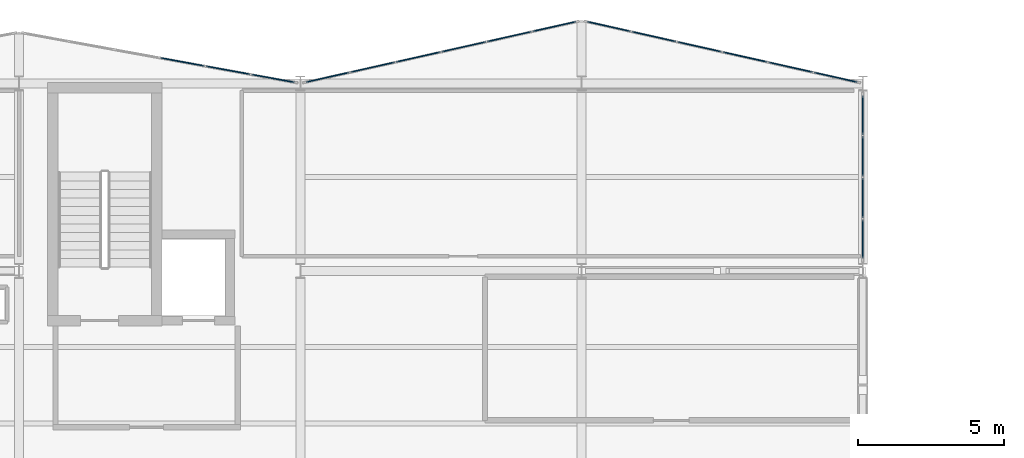
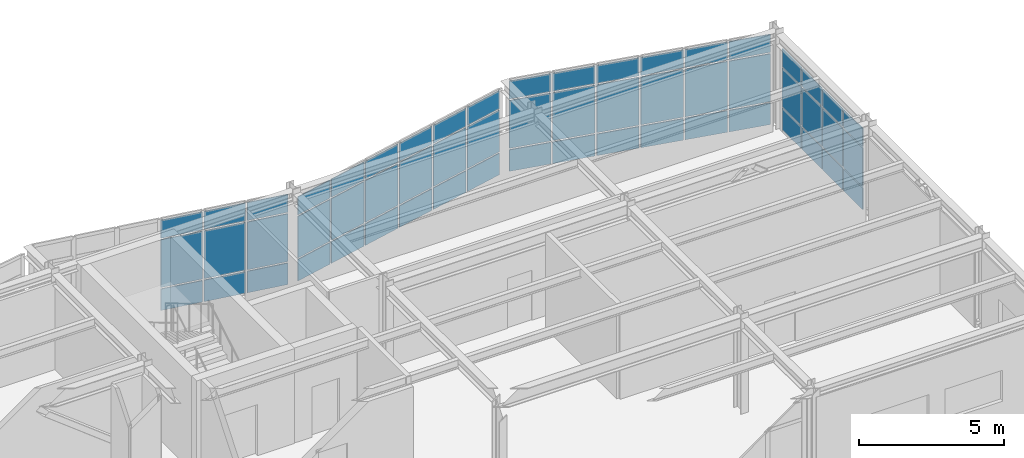
# One storey, part 50 of 64: 57 plates, 4 elements without a shape of their own.
"""IFC4 building model written with IfcOpenShell, lengths in metres."""

from ifc_helpers import new_model, si_unit, direction, frame, origin, origin_2d, place, context, subcontext, project, spatial, rectangle, extrude, material, layer, layer_set, type_object, element, aggregate, save


model = new_model("IFC4")

# Units and contexts
model_context = context("Model", 3, precision=1e-05, world=origin(), true_north=direction((0.0, 1.0)))
body_context = subcontext(model_context, "Body", "Model", "MODEL_VIEW")
ifc_project = project(units=[si_unit("LENGTHUNIT", "METRE"), si_unit("AREAUNIT", "SQUARE_METRE"), si_unit("VOLUMEUNIT", "CUBIC_METRE"), si_unit("PLANEANGLEUNIT", "RADIAN"), si_unit("MASSUNIT", "GRAM", prefix="KILO")], contexts=[model_context])

# Site, building, storey
site_placement = place(None, origin())
site = spatial("IfcSite", under=ifc_project, at=site_placement, CompositionType="ELEMENT")
building_placement = place(site_placement, origin())
building = spatial("IfcBuilding", under=site, at=building_placement, Name="Nordkorset Police Headquarters", CompositionType="ELEMENT")
storey_placement = place(building_placement, frame((0.0, 0.0, 17.85009765625)))
storey = spatial("IfcBuildingStorey", under=building, at=storey_placement, Name="L04", CompositionType="ELEMENT", Elevation=17.85009765625)

# Curtain wall, plates
ifc_material_1 = material(Name="Aluminium alloy AW-6060", Category="aluminium")
ifc_layer_1 = layer(ifc_material_1, 0.179931640625, Name="Aluminium alloy AW-6060")
ifc_layer_set_1 = layer_set([ifc_layer_1], Name="Aluminium alloy AW-6060")
curtain_wall_type_1 = type_object("IfcCurtainWallType", Name="CW_Unit_948x392", PredefinedType="USERDEFINED", material=ifc_layer_set_1)
curtain_wall_1_placement = place(storey_placement, origin())
curtain_wall_1 = element("IfcCurtainWall", 1, at=curtain_wall_1_placement, inside=storey, type_object=curtain_wall_type_1, Name="Unitised Curtain Wall L04 V2N-3", ObjectType="UNITISED CURTAIN WALL", PredefinedType="USERDEFINED")
ifc_material_2 = material(Name="Low-iron triple glazing", Category="glass")
ifc_layer_2 = layer(ifc_material_2, 0.035888671875, Name="Low-iron triple glazing")
ifc_layer_set_2 = layer_set([ifc_layer_2], Name="Low-iron triple glazing")
plate_type = type_object("IfcPlateType", Name="CW_Panel_TripleGlazing_36", PredefinedType="CURTAIN_PANEL", material=ifc_layer_set_2)
plate_1_placement = place(storey_placement, frame((63.177001953125, 117.533447265625, 0.06494140625), z_axis=(0.0, 0.0, 1.0), x_axis=(0.983787934979, -0.179335715876, 0.0)))
plate_1 = element("IfcPlate", 2, at=plate_1_placement, type_object=plate_type, Name="CW-65 panel 4.1", PredefinedType="CURTAIN_PANEL", context=body_context, shape_type="SweptSolid", body=[
    extrude(rectangle(XDim=1.5146484375, YDim=0.035888671875, at=origin_2d()), origin(), (0.0, 0.0, 1.0), 0.902587890625),
])
plate_2_placement = place(storey_placement, frame((63.177001953125, 117.533447265625, 1.032470703125), z_axis=(0.0, 0.0, 1.0), x_axis=(0.983787934979, -0.179335715876, 0.0)))
plate_2 = element("IfcPlate", 3, at=plate_2_placement, type_object=plate_type, Name="CW-65 panel 4.2", PredefinedType="CURTAIN_PANEL", context=body_context, shape_type="SweptSolid", body=[
    extrude(rectangle(XDim=1.5146484375, YDim=0.035888671875, at=origin_2d()), origin(), (0.0, 0.0, 1.0), 2.0048828125),
])
plate_3_placement = place(storey_placement, frame((63.177001953125, 117.533447265625, 3.1025390625), z_axis=(0.0, 0.0, 1.0), x_axis=(0.983787934979, -0.179335715876, 0.0)))
plate_3 = element("IfcPlate", 4, at=plate_3_placement, type_object=plate_type, Name="CW-65 panel 4.3", PredefinedType="CURTAIN_PANEL", context=body_context, shape_type="SweptSolid", body=[
    extrude(rectangle(XDim=1.5146484375, YDim=0.035888671875, at=origin_2d()), origin(), (0.0, 0.0, 1.0), 0.75244140625),
])
plate_4_placement = place(storey_placement, frame((64.731201171875, 117.25, 0.06494140625), z_axis=(0.0, 0.0, 1.0), x_axis=(0.983787934979, -0.179335715876, 0.0)))
plate_4 = element("IfcPlate", 5, at=plate_4_placement, type_object=plate_type, Name="CW-65 panel 5.1", PredefinedType="CURTAIN_PANEL", context=body_context, shape_type="SweptSolid", body=[
    extrude(rectangle(XDim=1.5146484375, YDim=0.035888671875, at=origin_2d()), origin(), (0.0, 0.0, 1.0), 0.902587890625),
])
plate_5_placement = place(storey_placement, frame((64.731201171875, 117.25, 1.032470703125), z_axis=(0.0, 0.0, 1.0), x_axis=(0.983787934979, -0.179335715876, 0.0)))
plate_5 = element("IfcPlate", 6, at=plate_5_placement, type_object=plate_type, Name="CW-65 panel 5.2", PredefinedType="CURTAIN_PANEL", context=body_context, shape_type="SweptSolid", body=[
    extrude(rectangle(XDim=1.5146484375, YDim=0.035888671875, at=origin_2d()), origin(), (0.0, 0.0, 1.0), 2.0048828125),
])
plate_6_placement = place(storey_placement, frame((64.731201171875, 117.25, 3.1025390625), z_axis=(0.0, 0.0, 1.0), x_axis=(0.983787934979, -0.179335715876, 0.0)))
plate_6 = element("IfcPlate", 7, at=plate_6_placement, type_object=plate_type, Name="CW-65 panel 5.3", PredefinedType="CURTAIN_PANEL", context=body_context, shape_type="SweptSolid", body=[
    extrude(rectangle(XDim=1.5146484375, YDim=0.035888671875, at=origin_2d()), origin(), (0.0, 0.0, 1.0), 0.75244140625),
])
plate_7_placement = place(storey_placement, frame((66.269287109375, 116.9697265625, 0.06494140625), z_axis=(0.0, 0.0, 1.0), x_axis=(0.983787934979, -0.179335715876, 0.0)))
plate_7 = element("IfcPlate", 8, at=plate_7_placement, type_object=plate_type, Name="CW-65 panel 6.1", PredefinedType="CURTAIN_PANEL", context=body_context, shape_type="SweptSolid", body=[
    extrude(rectangle(XDim=1.482177734375, YDim=0.035888671875, at=origin_2d()), origin(), (0.0, 0.0, 1.0), 0.902587890625),
])
plate_8_placement = place(storey_placement, frame((66.269287109375, 116.9697265625, 1.032470703125), z_axis=(0.0, 0.0, 1.0), x_axis=(0.983787934979, -0.179335715876, 0.0)))
plate_8 = element("IfcPlate", 9, at=plate_8_placement, type_object=plate_type, Name="CW-65 panel 6.2", PredefinedType="CURTAIN_PANEL", context=body_context, shape_type="SweptSolid", body=[
    extrude(rectangle(XDim=1.482177734375, YDim=0.035888671875, at=origin_2d()), origin(), (0.0, 0.0, 1.0), 2.0048828125),
])
plate_9_placement = place(storey_placement, frame((66.269287109375, 116.9697265625, 3.1025390625), z_axis=(0.0, 0.0, 1.0), x_axis=(0.983787934979, -0.179335715876, 0.0)))
plate_9 = element("IfcPlate", 10, at=plate_9_placement, type_object=plate_type, Name="CW-65 panel 6.3", PredefinedType="CURTAIN_PANEL", context=body_context, shape_type="SweptSolid", body=[
    extrude(rectangle(XDim=1.482177734375, YDim=0.035888671875, at=origin_2d()), origin(), (0.0, 0.0, 1.0), 0.75244140625),
])
aggregate(curtain_wall_1, [plate_1, plate_2, plate_3, plate_4, plate_5, plate_6, plate_7, plate_8, plate_9])

ifc_material_3 = material(Name="Aluminium alloy AW-6060", Category="aluminium")
ifc_layer_3 = layer(ifc_material_3, 0.179931640625, Name="Aluminium alloy AW-6060")
ifc_layer_set_3 = layer_set([ifc_layer_3], Name="Aluminium alloy AW-6060")
curtain_wall_type_2 = type_object("IfcCurtainWallType", Name="CW_Unit_956x366", PredefinedType="USERDEFINED", material=ifc_layer_set_3)
curtain_wall_2_placement = place(storey_placement, origin())
curtain_wall_2 = element("IfcCurtainWall", 11, at=curtain_wall_2_placement, inside=storey, type_object=curtain_wall_type_2, Name="Unitised Curtain Wall L04 V2N-4", ObjectType="UNITISED CURTAIN WALL", PredefinedType="USERDEFINED")
plate_10_placement = place(storey_placement, frame((68.129638671875, 117.00830078125, 0.06494140625), z_axis=(0.0, 0.0, 1.0), x_axis=(0.975827090814, 0.218544020358, 0.0)))
plate_10 = element("IfcPlate", 12, at=plate_10_placement, type_object=plate_type, Name="CW-61 panel 1.1", PredefinedType="CURTAIN_PANEL", context=body_context, shape_type="SweptSolid", body=[
    extrude(rectangle(XDim=1.495361328125, YDim=0.035888671875, at=origin_2d()), origin(), (0.0, 0.0, 1.0), 0.902587890625),
])
plate_11_placement = place(storey_placement, frame((68.129638671875, 117.00830078125, 1.0322265625), z_axis=(0.0, 0.0, 1.0), x_axis=(0.975827090814, 0.218544020358, 0.0)))
plate_11 = element("IfcPlate", 13, at=plate_11_placement, type_object=plate_type, Name="CW-61 panel 1.2", PredefinedType="CURTAIN_PANEL", context=body_context, shape_type="SweptSolid", body=[
    extrude(rectangle(XDim=1.495361328125, YDim=0.035888671875, at=origin_2d()), origin(), (0.0, 0.0, 1.0), 1.7451171875),
])
plate_12_placement = place(storey_placement, frame((68.129638671875, 117.00830078125, 2.842529296875), z_axis=(0.0, 0.0, 1.0), x_axis=(0.975827090814, 0.218544020358, 0.0)))
plate_12 = element("IfcPlate", 14, at=plate_12_placement, type_object=plate_type, Name="CW-61 panel 1.3", PredefinedType="CURTAIN_PANEL", context=body_context, shape_type="SweptSolid", body=[
    extrude(rectangle(XDim=1.495361328125, YDim=0.035888671875, at=origin_2d()), origin(), (0.0, 0.0, 1.0), 0.75244140625),
])
plate_13_placement = place(storey_placement, frame((69.668212890625, 117.352783203125, 0.06494140625), z_axis=(0.0, 0.0, 1.0), x_axis=(0.975827090814, 0.218544020358, 0.0)))
plate_13 = element("IfcPlate", 15, at=plate_13_placement, type_object=plate_type, Name="CW-61 panel 2.1", PredefinedType="CURTAIN_PANEL", context=body_context, shape_type="SweptSolid", body=[
    extrude(rectangle(XDim=1.528076171875, YDim=0.035888671875, at=origin_2d()), origin(), (0.0, 0.0, 1.0), 0.902587890625),
])
plate_14_placement = place(storey_placement, frame((69.668212890625, 117.352783203125, 1.0322265625), z_axis=(0.0, 0.0, 1.0), x_axis=(0.975827090814, 0.218544020358, 0.0)))
plate_14 = element("IfcPlate", 16, at=plate_14_placement, type_object=plate_type, Name="CW-61 panel 2.2", PredefinedType="CURTAIN_PANEL", context=body_context, shape_type="SweptSolid", body=[
    extrude(rectangle(XDim=1.528076171875, YDim=0.035888671875, at=origin_2d()), origin(), (0.0, 0.0, 1.0), 1.7451171875),
])
plate_15_placement = place(storey_placement, frame((69.668212890625, 117.352783203125, 2.842529296875), z_axis=(0.0, 0.0, 1.0), x_axis=(0.975827090814, 0.218544020358, 0.0)))
plate_15 = element("IfcPlate", 17, at=plate_15_placement, type_object=plate_type, Name="CW-61 panel 2.3", PredefinedType="CURTAIN_PANEL", context=body_context, shape_type="SweptSolid", body=[
    extrude(rectangle(XDim=1.528076171875, YDim=0.035888671875, at=origin_2d()), origin(), (0.0, 0.0, 1.0), 0.75244140625),
])
plate_16_placement = place(storey_placement, frame((71.22265625, 117.700927734375, 0.06494140625), z_axis=(0.0, 0.0, 1.0), x_axis=(0.975827090814, 0.218544020358, 0.0)))
plate_16 = element("IfcPlate", 18, at=plate_16_placement, type_object=plate_type, Name="CW-61 panel 3.1", PredefinedType="CURTAIN_PANEL", context=body_context, shape_type="SweptSolid", body=[
    extrude(rectangle(XDim=1.528076171875, YDim=0.035888671875, at=origin_2d()), origin(), (0.0, 0.0, 1.0), 0.902587890625),
])
plate_17_placement = place(storey_placement, frame((71.22265625, 117.700927734375, 1.0322265625), z_axis=(0.0, 0.0, 1.0), x_axis=(0.975827090814, 0.218544020358, 0.0)))
plate_17 = element("IfcPlate", 19, at=plate_17_placement, type_object=plate_type, Name="CW-61 panel 3.2", PredefinedType="CURTAIN_PANEL", context=body_context, shape_type="SweptSolid", body=[
    extrude(rectangle(XDim=1.528076171875, YDim=0.035888671875, at=origin_2d()), origin(), (0.0, 0.0, 1.0), 1.7451171875),
])
plate_18_placement = place(storey_placement, frame((71.22265625, 117.700927734375, 2.842529296875), z_axis=(0.0, 0.0, 1.0), x_axis=(0.975827090814, 0.218544020358, 0.0)))
plate_18 = element("IfcPlate", 20, at=plate_18_placement, type_object=plate_type, Name="CW-61 panel 3.3", PredefinedType="CURTAIN_PANEL", context=body_context, shape_type="SweptSolid", body=[
    extrude(rectangle(XDim=1.528076171875, YDim=0.035888671875, at=origin_2d()), origin(), (0.0, 0.0, 1.0), 0.75244140625),
])
plate_19_placement = place(storey_placement, frame((72.77734375, 118.049072265625, 0.06494140625), z_axis=(0.0, 0.0, 1.0), x_axis=(0.975827090814, 0.218544020358, 0.0)))
plate_19 = element("IfcPlate", 21, at=plate_19_placement, type_object=plate_type, Name="CW-61 panel 4.1", PredefinedType="CURTAIN_PANEL", context=body_context, shape_type="SweptSolid", body=[
    extrude(rectangle(XDim=1.528076171875, YDim=0.035888671875, at=origin_2d()), origin(), (0.0, 0.0, 1.0), 0.902587890625),
])
plate_20_placement = place(storey_placement, frame((72.77734375, 118.049072265625, 1.0322265625), z_axis=(0.0, 0.0, 1.0), x_axis=(0.975827090814, 0.218544020358, 0.0)))
plate_20 = element("IfcPlate", 22, at=plate_20_placement, type_object=plate_type, Name="CW-61 panel 4.2", PredefinedType="CURTAIN_PANEL", context=body_context, shape_type="SweptSolid", body=[
    extrude(rectangle(XDim=1.528076171875, YDim=0.035888671875, at=origin_2d()), origin(), (0.0, 0.0, 1.0), 1.7451171875),
])
plate_21_placement = place(storey_placement, frame((72.77734375, 118.049072265625, 2.842529296875), z_axis=(0.0, 0.0, 1.0), x_axis=(0.975827090814, 0.218544020358, 0.0)))
plate_21 = element("IfcPlate", 23, at=plate_21_placement, type_object=plate_type, Name="CW-61 panel 4.3", PredefinedType="CURTAIN_PANEL", context=body_context, shape_type="SweptSolid", body=[
    extrude(rectangle(XDim=1.528076171875, YDim=0.035888671875, at=origin_2d()), origin(), (0.0, 0.0, 1.0), 0.75244140625),
])
plate_22_placement = place(storey_placement, frame((74.331787109375, 118.397216796875, 0.06494140625), z_axis=(0.0, 0.0, 1.0), x_axis=(0.975827090814, 0.218544020358, 0.0)))
plate_22 = element("IfcPlate", 24, at=plate_22_placement, type_object=plate_type, Name="CW-61 panel 5.1", PredefinedType="CURTAIN_PANEL", context=body_context, shape_type="SweptSolid", body=[
    extrude(rectangle(XDim=1.528076171875, YDim=0.035888671875, at=origin_2d()), origin(), (0.0, 0.0, 1.0), 0.902587890625),
])
plate_23_placement = place(storey_placement, frame((74.331787109375, 118.397216796875, 1.0322265625), z_axis=(0.0, 0.0, 1.0), x_axis=(0.975827090814, 0.218544020358, 0.0)))
plate_23 = element("IfcPlate", 25, at=plate_23_placement, type_object=plate_type, Name="CW-61 panel 5.2", PredefinedType="CURTAIN_PANEL", context=body_context, shape_type="SweptSolid", body=[
    extrude(rectangle(XDim=1.528076171875, YDim=0.035888671875, at=origin_2d()), origin(), (0.0, 0.0, 1.0), 1.7451171875),
])
plate_24_placement = place(storey_placement, frame((74.331787109375, 118.397216796875, 2.842529296875), z_axis=(0.0, 0.0, 1.0), x_axis=(0.975827090814, 0.218544020358, 0.0)))
plate_24 = element("IfcPlate", 26, at=plate_24_placement, type_object=plate_type, Name="CW-61 panel 5.3", PredefinedType="CURTAIN_PANEL", context=body_context, shape_type="SweptSolid", body=[
    extrude(rectangle(XDim=1.528076171875, YDim=0.035888671875, at=origin_2d()), origin(), (0.0, 0.0, 1.0), 0.75244140625),
])
plate_25_placement = place(storey_placement, frame((75.870361328125, 118.74169921875, 0.06494140625), z_axis=(0.0, 0.0, 1.0), x_axis=(0.975827090814, 0.218544020358, 0.0)))
plate_25 = element("IfcPlate", 27, at=plate_25_placement, type_object=plate_type, Name="CW-61 panel 6.1", PredefinedType="CURTAIN_PANEL", context=body_context, shape_type="SweptSolid", body=[
    extrude(rectangle(XDim=1.495361328125, YDim=0.035888671875, at=origin_2d()), origin(), (0.0, 0.0, 1.0), 0.902587890625),
])
plate_26_placement = place(storey_placement, frame((75.870361328125, 118.74169921875, 1.0322265625), z_axis=(0.0, 0.0, 1.0), x_axis=(0.975827090814, 0.218544020358, 0.0)))
plate_26 = element("IfcPlate", 28, at=plate_26_placement, type_object=plate_type, Name="CW-61 panel 6.2", PredefinedType="CURTAIN_PANEL", context=body_context, shape_type="SweptSolid", body=[
    extrude(rectangle(XDim=1.495361328125, YDim=0.035888671875, at=origin_2d()), origin(), (0.0, 0.0, 1.0), 1.7451171875),
])
plate_27_placement = place(storey_placement, frame((75.870361328125, 118.74169921875, 2.842529296875), z_axis=(0.0, 0.0, 1.0), x_axis=(0.975827090814, 0.218544020358, 0.0)))
plate_27 = element("IfcPlate", 29, at=plate_27_placement, type_object=plate_type, Name="CW-61 panel 6.3", PredefinedType="CURTAIN_PANEL", context=body_context, shape_type="SweptSolid", body=[
    extrude(rectangle(XDim=1.495361328125, YDim=0.035888671875, at=origin_2d()), origin(), (0.0, 0.0, 1.0), 0.75244140625),
])
aggregate(curtain_wall_2, [plate_10, plate_11, plate_12, plate_13, plate_14, plate_15, plate_16, plate_17, plate_18, plate_19, plate_20, plate_21, plate_22, plate_23, plate_24, plate_25, plate_26, plate_27])

ifc_material_4 = material(Name="Aluminium alloy AW-6060", Category="aluminium")
ifc_layer_4 = layer(ifc_material_4, 0.179931640625, Name="Aluminium alloy AW-6060")
ifc_layer_set_4 = layer_set([ifc_layer_4], Name="Aluminium alloy AW-6060")
curtain_wall_type_3 = type_object("IfcCurtainWallType", Name="CW_Unit_956x392", PredefinedType="USERDEFINED", material=ifc_layer_set_4)
curtain_wall_3_placement = place(storey_placement, origin())
curtain_wall_3 = element("IfcCurtainWall", 30, at=curtain_wall_3_placement, inside=storey, type_object=curtain_wall_type_3, Name="Unitised Curtain Wall L04 V2N-5", ObjectType="UNITISED CURTAIN WALL", PredefinedType="USERDEFINED")
plate_28_placement = place(storey_placement, frame((77.729736328125, 118.74169921875, 0.06494140625), z_axis=(0.0, 0.0, 1.0), x_axis=(0.975827090814, -0.218544020358, 0.0)))
plate_28 = element("IfcPlate", 31, at=plate_28_placement, type_object=plate_type, Name="CW-41 panel 1.1", PredefinedType="CURTAIN_PANEL", context=body_context, shape_type="SweptSolid", body=[
    extrude(rectangle(XDim=1.495361328125, YDim=0.035888671875, at=origin_2d()), origin(), (0.0, 0.0, 1.0), 0.902587890625),
])
plate_29_placement = place(storey_placement, frame((77.729736328125, 118.74169921875, 1.032470703125), z_axis=(0.0, 0.0, 1.0), x_axis=(0.975827090814, -0.218544020358, 0.0)))
plate_29 = element("IfcPlate", 32, at=plate_29_placement, type_object=plate_type, Name="CW-41 panel 1.2", PredefinedType="CURTAIN_PANEL", context=body_context, shape_type="SweptSolid", body=[
    extrude(rectangle(XDim=1.495361328125, YDim=0.035888671875, at=origin_2d()), origin(), (0.0, 0.0, 1.0), 2.0048828125),
])
plate_30_placement = place(storey_placement, frame((77.729736328125, 118.74169921875, 3.1025390625), z_axis=(0.0, 0.0, 1.0), x_axis=(0.975827090814, -0.218544020358, 0.0)))
plate_30 = element("IfcPlate", 33, at=plate_30_placement, type_object=plate_type, Name="CW-41 panel 1.3", PredefinedType="CURTAIN_PANEL", context=body_context, shape_type="SweptSolid", body=[
    extrude(rectangle(XDim=1.495361328125, YDim=0.035888671875, at=origin_2d()), origin(), (0.0, 0.0, 1.0), 0.75244140625),
])
plate_31_placement = place(storey_placement, frame((79.268310546875, 118.397216796875, 0.06494140625), z_axis=(0.0, 0.0, 1.0), x_axis=(0.975827090814, -0.218544020358, 0.0)))
plate_31 = element("IfcPlate", 34, at=plate_31_placement, type_object=plate_type, Name="CW-41 panel 2.1", PredefinedType="CURTAIN_PANEL", context=body_context, shape_type="SweptSolid", body=[
    extrude(rectangle(XDim=1.528076171875, YDim=0.035888671875, at=origin_2d()), origin(), (0.0, 0.0, 1.0), 0.902587890625),
])
plate_32_placement = place(storey_placement, frame((79.268310546875, 118.397216796875, 1.032470703125), z_axis=(0.0, 0.0, 1.0), x_axis=(0.975827090814, -0.218544020358, 0.0)))
plate_32 = element("IfcPlate", 35, at=plate_32_placement, type_object=plate_type, Name="CW-41 panel 2.2", PredefinedType="CURTAIN_PANEL", context=body_context, shape_type="SweptSolid", body=[
    extrude(rectangle(XDim=1.528076171875, YDim=0.035888671875, at=origin_2d()), origin(), (0.0, 0.0, 1.0), 2.0048828125),
])
plate_33_placement = place(storey_placement, frame((79.268310546875, 118.397216796875, 3.1025390625), z_axis=(0.0, 0.0, 1.0), x_axis=(0.975827090814, -0.218544020358, 0.0)))
plate_33 = element("IfcPlate", 36, at=plate_33_placement, type_object=plate_type, Name="CW-41 panel 2.3", PredefinedType="CURTAIN_PANEL", context=body_context, shape_type="SweptSolid", body=[
    extrude(rectangle(XDim=1.528076171875, YDim=0.035888671875, at=origin_2d()), origin(), (0.0, 0.0, 1.0), 0.75244140625),
])
plate_34_placement = place(storey_placement, frame((80.82275390625, 118.049072265625, 0.06494140625), z_axis=(0.0, 0.0, 1.0), x_axis=(0.975827090814, -0.218544020358, 0.0)))
plate_34 = element("IfcPlate", 37, at=plate_34_placement, type_object=plate_type, Name="CW-41 panel 3.1", PredefinedType="CURTAIN_PANEL", context=body_context, shape_type="SweptSolid", body=[
    extrude(rectangle(XDim=1.528076171875, YDim=0.035888671875, at=origin_2d()), origin(), (0.0, 0.0, 1.0), 0.902587890625),
])
plate_35_placement = place(storey_placement, frame((80.82275390625, 118.049072265625, 1.032470703125), z_axis=(0.0, 0.0, 1.0), x_axis=(0.975827090814, -0.218544020358, 0.0)))
plate_35 = element("IfcPlate", 38, at=plate_35_placement, type_object=plate_type, Name="CW-41 panel 3.2", PredefinedType="CURTAIN_PANEL", context=body_context, shape_type="SweptSolid", body=[
    extrude(rectangle(XDim=1.528076171875, YDim=0.035888671875, at=origin_2d()), origin(), (0.0, 0.0, 1.0), 2.0048828125),
])
plate_36_placement = place(storey_placement, frame((80.82275390625, 118.049072265625, 3.1025390625), z_axis=(0.0, 0.0, 1.0), x_axis=(0.975827090814, -0.218544020358, 0.0)))
plate_36 = element("IfcPlate", 39, at=plate_36_placement, type_object=plate_type, Name="CW-41 panel 3.3", PredefinedType="CURTAIN_PANEL", context=body_context, shape_type="SweptSolid", body=[
    extrude(rectangle(XDim=1.528076171875, YDim=0.035888671875, at=origin_2d()), origin(), (0.0, 0.0, 1.0), 0.75244140625),
])
plate_37_placement = place(storey_placement, frame((82.377197265625, 117.700927734375, 0.06494140625), z_axis=(0.0, 0.0, 1.0), x_axis=(0.975827090814, -0.218544020358, 0.0)))
plate_37 = element("IfcPlate", 40, at=plate_37_placement, type_object=plate_type, Name="CW-41 panel 4.1", PredefinedType="CURTAIN_PANEL", context=body_context, shape_type="SweptSolid", body=[
    extrude(rectangle(XDim=1.528076171875, YDim=0.035888671875, at=origin_2d()), origin(), (0.0, 0.0, 1.0), 0.902587890625),
])
plate_38_placement = place(storey_placement, frame((82.377197265625, 117.700927734375, 1.032470703125), z_axis=(0.0, 0.0, 1.0), x_axis=(0.975827090814, -0.218544020358, 0.0)))
plate_38 = element("IfcPlate", 41, at=plate_38_placement, type_object=plate_type, Name="CW-41 panel 4.2", PredefinedType="CURTAIN_PANEL", context=body_context, shape_type="SweptSolid", body=[
    extrude(rectangle(XDim=1.528076171875, YDim=0.035888671875, at=origin_2d()), origin(), (0.0, 0.0, 1.0), 2.0048828125),
])
plate_39_placement = place(storey_placement, frame((82.377197265625, 117.700927734375, 3.1025390625), z_axis=(0.0, 0.0, 1.0), x_axis=(0.975827090814, -0.218544020358, 0.0)))
plate_39 = element("IfcPlate", 42, at=plate_39_placement, type_object=plate_type, Name="CW-41 panel 4.3", PredefinedType="CURTAIN_PANEL", context=body_context, shape_type="SweptSolid", body=[
    extrude(rectangle(XDim=1.528076171875, YDim=0.035888671875, at=origin_2d()), origin(), (0.0, 0.0, 1.0), 0.75244140625),
])
plate_40_placement = place(storey_placement, frame((83.931640625, 117.352783203125, 0.06494140625), z_axis=(0.0, 0.0, 1.0), x_axis=(0.975827090814, -0.218544020358, 0.0)))
plate_40 = element("IfcPlate", 43, at=plate_40_placement, type_object=plate_type, Name="CW-41 panel 5.1", PredefinedType="CURTAIN_PANEL", context=body_context, shape_type="SweptSolid", body=[
    extrude(rectangle(XDim=1.528076171875, YDim=0.035888671875, at=origin_2d()), origin(), (0.0, 0.0, 1.0), 0.902587890625),
])
plate_41_placement = place(storey_placement, frame((83.931640625, 117.352783203125, 1.032470703125), z_axis=(0.0, 0.0, 1.0), x_axis=(0.975827090814, -0.218544020358, 0.0)))
plate_41 = element("IfcPlate", 44, at=plate_41_placement, type_object=plate_type, Name="CW-41 panel 5.2", PredefinedType="CURTAIN_PANEL", context=body_context, shape_type="SweptSolid", body=[
    extrude(rectangle(XDim=1.528076171875, YDim=0.035888671875, at=origin_2d()), origin(), (0.0, 0.0, 1.0), 2.0048828125),
])
plate_42_placement = place(storey_placement, frame((83.931640625, 117.352783203125, 3.1025390625), z_axis=(0.0, 0.0, 1.0), x_axis=(0.975827090814, -0.218544020358, 0.0)))
plate_42 = element("IfcPlate", 45, at=plate_42_placement, type_object=plate_type, Name="CW-41 panel 5.3", PredefinedType="CURTAIN_PANEL", context=body_context, shape_type="SweptSolid", body=[
    extrude(rectangle(XDim=1.528076171875, YDim=0.035888671875, at=origin_2d()), origin(), (0.0, 0.0, 1.0), 0.75244140625),
])
plate_43_placement = place(storey_placement, frame((85.47021484375, 117.00830078125, 0.06494140625), z_axis=(0.0, 0.0, 1.0), x_axis=(0.975827090814, -0.218544020358, 0.0)))
plate_43 = element("IfcPlate", 46, at=plate_43_placement, type_object=plate_type, Name="CW-41 panel 6.1", PredefinedType="CURTAIN_PANEL", context=body_context, shape_type="SweptSolid", body=[
    extrude(rectangle(XDim=1.495361328125, YDim=0.035888671875, at=origin_2d()), origin(), (0.0, 0.0, 1.0), 0.902587890625),
])
plate_44_placement = place(storey_placement, frame((85.47021484375, 117.00830078125, 1.032470703125), z_axis=(0.0, 0.0, 1.0), x_axis=(0.975827090814, -0.218544020358, 0.0)))
plate_44 = element("IfcPlate", 47, at=plate_44_placement, type_object=plate_type, Name="CW-41 panel 6.2", PredefinedType="CURTAIN_PANEL", context=body_context, shape_type="SweptSolid", body=[
    extrude(rectangle(XDim=1.495361328125, YDim=0.035888671875, at=origin_2d()), origin(), (0.0, 0.0, 1.0), 2.0048828125),
])
plate_45_placement = place(storey_placement, frame((85.47021484375, 117.00830078125, 3.1025390625), z_axis=(0.0, 0.0, 1.0), x_axis=(0.975827090814, -0.218544020358, 0.0)))
plate_45 = element("IfcPlate", 48, at=plate_45_placement, type_object=plate_type, Name="CW-41 panel 6.3", PredefinedType="CURTAIN_PANEL", context=body_context, shape_type="SweptSolid", body=[
    extrude(rectangle(XDim=1.495361328125, YDim=0.035888671875, at=origin_2d()), origin(), (0.0, 0.0, 1.0), 0.75244140625),
])
aggregate(curtain_wall_3, [plate_28, plate_29, plate_30, plate_31, plate_32, plate_33, plate_34, plate_35, plate_36, plate_37, plate_38, plate_39, plate_40, plate_41, plate_42, plate_43, plate_44, plate_45])

ifc_material_5 = material(Name="Aluminium alloy AW-6060", Category="aluminium")
ifc_layer_5 = layer(ifc_material_5, 0.179931640625, Name="Aluminium alloy AW-6060")
ifc_layer_set_5 = layer_set([ifc_layer_5], Name="Aluminium alloy AW-6060")
curtain_wall_type_4 = type_object("IfcCurtainWallType", Name="CW_Unit_568x353", PredefinedType="USERDEFINED", material=ifc_layer_set_5)
curtain_wall_4_placement = place(storey_placement, origin())
curtain_wall_4 = element("IfcCurtainWall", 49, at=curtain_wall_4_placement, inside=storey, type_object=curtain_wall_type_4, Name="Unitised Curtain Wall L04 V2E-1", ObjectType="UNITISED CURTAIN WALL", PredefinedType="USERDEFINED")
plate_46_placement = place(storey_placement, frame((86.39990234375, 111.486328125, 0.06494140625), z_axis=(0.0, 0.0, 1.0), x_axis=(0.0, 1.0, 0.0)))
plate_46 = element("IfcPlate", 50, at=plate_46_placement, type_object=plate_type, Name="CW-17 panel 1.1", PredefinedType="CURTAIN_PANEL", context=body_context, shape_type="SweptSolid", body=[
    extrude(rectangle(XDim=1.322509765625, YDim=0.035888671875, at=origin_2d()), origin(), (0.0, 0.0, 1.0), 0.902587890625),
])
plate_47_placement = place(storey_placement, frame((86.39990234375, 111.486328125, 1.0322265625), z_axis=(0.0, 0.0, 1.0), x_axis=(0.0, 1.0, 0.0)))
plate_47 = element("IfcPlate", 51, at=plate_47_placement, type_object=plate_type, Name="CW-17 panel 1.2", PredefinedType="CURTAIN_PANEL", context=body_context, shape_type="SweptSolid", body=[
    extrude(rectangle(XDim=1.322509765625, YDim=0.035888671875, at=origin_2d()), origin(), (0.0, 0.0, 1.0), 1.614990234375),
])
plate_48_placement = place(storey_placement, frame((86.39990234375, 111.486328125, 2.71240234375), z_axis=(0.0, 0.0, 1.0), x_axis=(0.0, 1.0, 0.0)))
plate_48 = element("IfcPlate", 52, at=plate_48_placement, type_object=plate_type, Name="CW-17 panel 1.3", PredefinedType="CURTAIN_PANEL", context=body_context, shape_type="SweptSolid", body=[
    extrude(rectangle(XDim=1.322509765625, YDim=0.035888671875, at=origin_2d()), origin(), (0.0, 0.0, 1.0), 0.75244140625),
])
plate_49_placement = place(storey_placement, frame((86.39990234375, 112.889892578125, 0.06494140625), z_axis=(0.0, 0.0, 1.0), x_axis=(0.0, 1.0, 0.0)))
plate_49 = element("IfcPlate", 53, at=plate_49_placement, type_object=plate_type, Name="CW-17 panel 2.1", PredefinedType="CURTAIN_PANEL", context=body_context, shape_type="SweptSolid", body=[
    extrude(rectangle(XDim=1.35498046875, YDim=0.035888671875, at=origin_2d()), origin(), (0.0, 0.0, 1.0), 0.902587890625),
])
plate_50_placement = place(storey_placement, frame((86.39990234375, 112.889892578125, 1.0322265625), z_axis=(0.0, 0.0, 1.0), x_axis=(0.0, 1.0, 0.0)))
plate_50 = element("IfcPlate", 54, at=plate_50_placement, type_object=plate_type, Name="CW-17 panel 2.2", PredefinedType="CURTAIN_PANEL", context=body_context, shape_type="SweptSolid", body=[
    extrude(rectangle(XDim=1.35498046875, YDim=0.035888671875, at=origin_2d()), origin(), (0.0, 0.0, 1.0), 1.614990234375),
])
plate_51_placement = place(storey_placement, frame((86.39990234375, 112.889892578125, 2.71240234375), z_axis=(0.0, 0.0, 1.0), x_axis=(0.0, 1.0, 0.0)))
plate_51 = element("IfcPlate", 55, at=plate_51_placement, type_object=plate_type, Name="CW-17 panel 2.3", PredefinedType="CURTAIN_PANEL", context=body_context, shape_type="SweptSolid", body=[
    extrude(rectangle(XDim=1.35498046875, YDim=0.035888671875, at=origin_2d()), origin(), (0.0, 0.0, 1.0), 0.75244140625),
])
plate_52_placement = place(storey_placement, frame((86.39990234375, 114.31005859375, 0.06494140625), z_axis=(0.0, 0.0, 1.0), x_axis=(0.0, 1.0, 0.0)))
plate_52 = element("IfcPlate", 56, at=plate_52_placement, type_object=plate_type, Name="CW-17 panel 3.1", PredefinedType="CURTAIN_PANEL", context=body_context, shape_type="SweptSolid", body=[
    extrude(rectangle(XDim=1.35498046875, YDim=0.035888671875, at=origin_2d()), origin(), (0.0, 0.0, 1.0), 0.902587890625),
])
plate_53_placement = place(storey_placement, frame((86.39990234375, 114.31005859375, 1.0322265625), z_axis=(0.0, 0.0, 1.0), x_axis=(0.0, 1.0, 0.0)))
plate_53 = element("IfcPlate", 57, at=plate_53_placement, type_object=plate_type, Name="CW-17 panel 3.2", PredefinedType="CURTAIN_PANEL", context=body_context, shape_type="SweptSolid", body=[
    extrude(rectangle(XDim=1.35498046875, YDim=0.035888671875, at=origin_2d()), origin(), (0.0, 0.0, 1.0), 1.614990234375),
])
plate_54_placement = place(storey_placement, frame((86.39990234375, 114.31005859375, 2.71240234375), z_axis=(0.0, 0.0, 1.0), x_axis=(0.0, 1.0, 0.0)))
plate_54 = element("IfcPlate", 58, at=plate_54_placement, type_object=plate_type, Name="CW-17 panel 3.3", PredefinedType="CURTAIN_PANEL", context=body_context, shape_type="SweptSolid", body=[
    extrude(rectangle(XDim=1.35498046875, YDim=0.035888671875, at=origin_2d()), origin(), (0.0, 0.0, 1.0), 0.75244140625),
])
plate_55_placement = place(storey_placement, frame((86.39990234375, 115.7138671875, 0.06494140625), z_axis=(0.0, 0.0, 1.0), x_axis=(0.0, 1.0, 0.0)))
plate_55 = element("IfcPlate", 59, at=plate_55_placement, type_object=plate_type, Name="CW-17 panel 4.1", PredefinedType="CURTAIN_PANEL", context=body_context, shape_type="SweptSolid", body=[
    extrude(rectangle(XDim=1.322509765625, YDim=0.035888671875, at=origin_2d()), origin(), (0.0, 0.0, 1.0), 0.902587890625),
])
plate_56_placement = place(storey_placement, frame((86.39990234375, 115.7138671875, 1.0322265625), z_axis=(0.0, 0.0, 1.0), x_axis=(0.0, 1.0, 0.0)))
plate_56 = element("IfcPlate", 60, at=plate_56_placement, type_object=plate_type, Name="CW-17 panel 4.2", PredefinedType="CURTAIN_PANEL", context=body_context, shape_type="SweptSolid", body=[
    extrude(rectangle(XDim=1.322509765625, YDim=0.035888671875, at=origin_2d()), origin(), (0.0, 0.0, 1.0), 1.614990234375),
])
plate_57_placement = place(storey_placement, frame((86.39990234375, 115.7138671875, 2.71240234375), z_axis=(0.0, 0.0, 1.0), x_axis=(0.0, 1.0, 0.0)))
plate_57 = element("IfcPlate", 61, at=plate_57_placement, type_object=plate_type, Name="CW-17 panel 4.3", PredefinedType="CURTAIN_PANEL", context=body_context, shape_type="SweptSolid", body=[
    extrude(rectangle(XDim=1.322509765625, YDim=0.035888671875, at=origin_2d()), origin(), (0.0, 0.0, 1.0), 0.75244140625),
])
aggregate(curtain_wall_4, [plate_46, plate_47, plate_48, plate_49, plate_50, plate_51, plate_52, plate_53, plate_54, plate_55, plate_56, plate_57])

save(model, "model.ifc")
